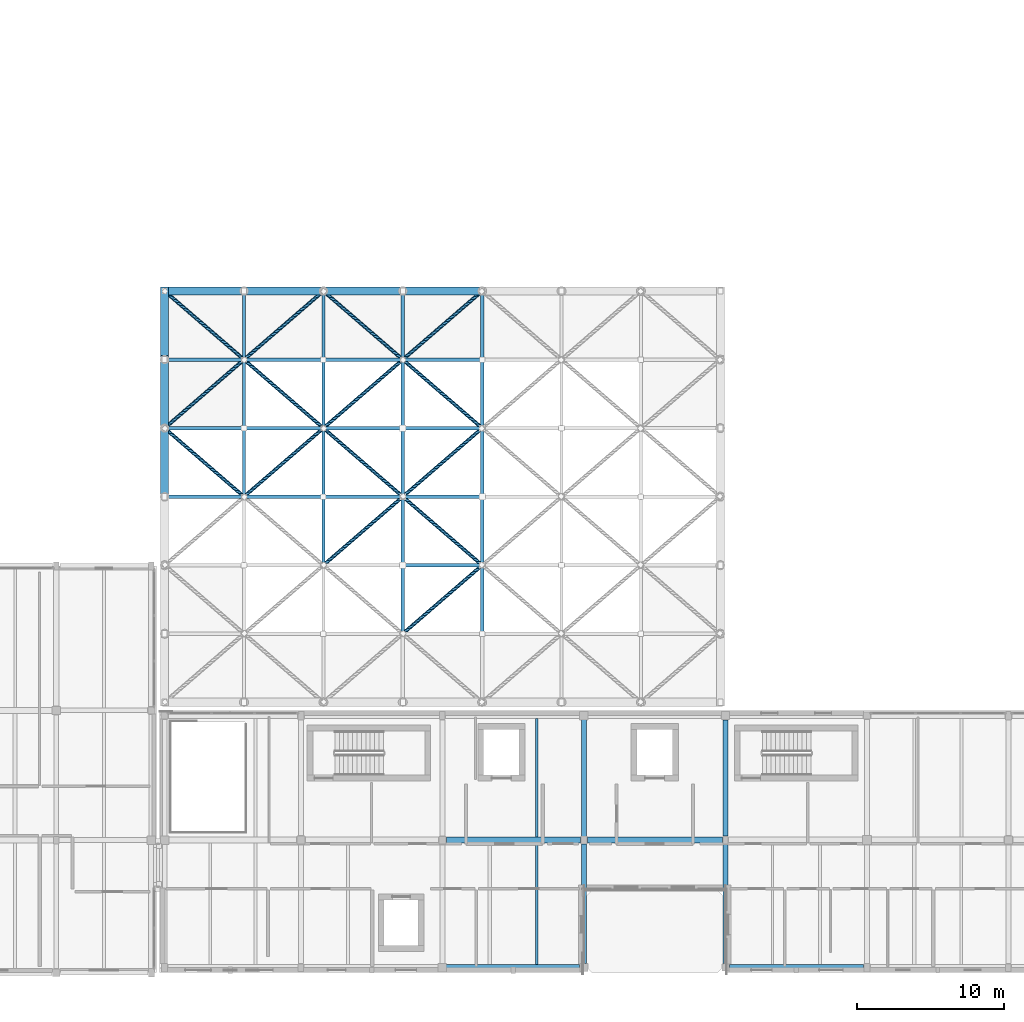
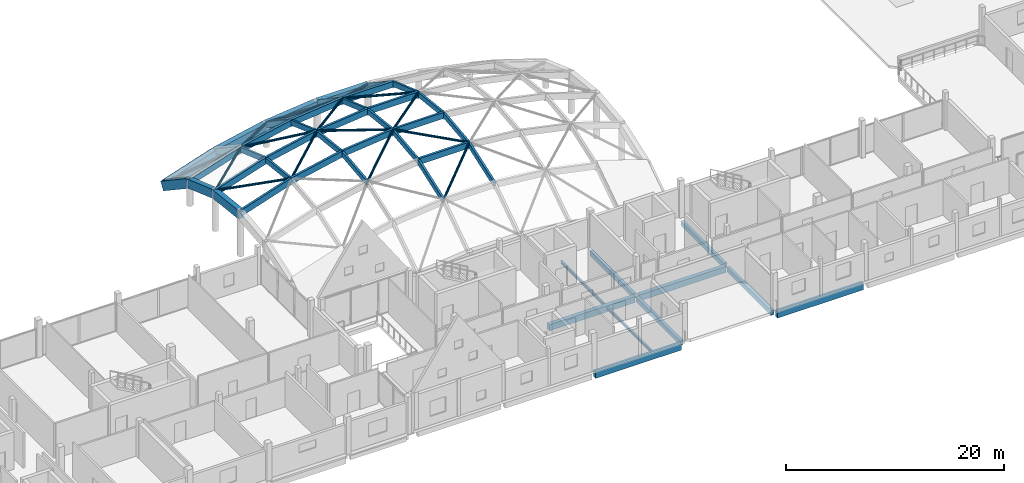
# One storey, part 9 of 41: 45 members, 17 beams.
"""IFC4 building model written with IfcOpenShell, lengths in metres."""

import ifcopenshell
import ifcopenshell.guid

model = None  # the IFC model being written
_history = None  # IfcOwnerHistory: only IFC2X3 demands one
_inside = {}  # id of a spatial element -> (the spatial element, [elements in it])
_under = {}  # id of a project, library or spatial element -> (it, [spatial elements below it])
_declared = {}  # id of a project -> (the project, [libraries it declares])
_typed = {}  # id of a type object -> (the type object, [elements of that type])
_made_of = {}  # id of a material, layer set ... -> (it, [elements and type objects made of it])


def new_model(schema):
    """Start an empty IFC model of exactly this schema.

    Asked for "IFC4X3", IfcOpenShell would pick the latest addendum, in which some entities
    have other attributes; the version numbers below select the first issue.
    IFC2X3 requires an IfcOwnerHistory on every rooted entity: one is made here for all.
    """
    global model, _history
    if schema == "IFC4X3":
        model = ifcopenshell.file(schema_version=(4, 3, 0, 0))
    else:
        model = ifcopenshell.file(schema=schema)
    _inside.clear()
    _under.clear()
    _declared.clear()
    _typed.clear()
    _made_of.clear()
    _history = None
    if model.schema == "IFC2X3":
        org = make("IfcOrganization", Name="unknown")
        user = make(
            "IfcPersonAndOrganization",
            ThePerson=make("IfcPerson", FamilyName="unknown"),
            TheOrganization=org,
        )
        app = make(
            "IfcApplication",
            ApplicationDeveloper=org,
            Version="unknown",
            ApplicationFullName="unknown",
            ApplicationIdentifier="unknown",
        )
        _history = make(
            "IfcOwnerHistory",
            OwningUser=user,
            OwningApplication=app,
            ChangeAction="ADDED",
            CreationDate=0,
        )
    return model


def make(cls, **values):
    """One entity of the class cls with the attributes given. An attribute that is None is left unset."""
    return model.create_entity(
        cls, **{name: value for name, value in values.items() if value is not None}
    )


def rooted(cls, **values):
    """An entity with a GlobalId (a new one), such as an element, a storey or a relation."""
    return make(cls, GlobalId=ifcopenshell.guid.new(), OwnerHistory=_history, **values)


def si_unit(unit_type, name, prefix=None):
    """IfcSIUnit, for example si_unit("LENGTHUNIT", "METRE", prefix="MILLI")."""
    return make("IfcSIUnit", UnitType=unit_type, Prefix=prefix, Name=name)


def assignment(units):
    """IfcUnitAssignment: the units of a project."""
    return None if units is None else make("IfcUnitAssignment", Units=units)


def point(xyz):
    """IfcCartesianPoint."""
    return None if xyz is None else make("IfcCartesianPoint", Coordinates=xyz)


def direction(xyz):
    """IfcDirection."""
    return None if xyz is None else make("IfcDirection", DirectionRatios=xyz)


def frame(location, z_axis=None, x_axis=None):
    """IfcAxis2Placement3D, a coordinate frame: its origin and axes. An axis left out is left unset."""
    return make(
        "IfcAxis2Placement3D",
        Location=point(location),
        Axis=direction(z_axis),
        RefDirection=direction(x_axis),
    )


def frame_2d(location, x_axis=None):
    """IfcAxis2Placement2D, a coordinate frame in the plane: its origin and x axis."""
    return make(
        "IfcAxis2Placement2D", Location=point(location), RefDirection=direction(x_axis)
    )


def origin():
    """The frame at (0, 0, 0) with its axes left unset."""
    return frame((0.0, 0.0, 0.0))


def origin_2d():
    """The frame at (0, 0) in the plane with its x axis left unset."""
    return frame_2d((0.0, 0.0))


def place(relative_to, where):
    """IfcLocalPlacement: puts the frame where relative to a parent placement (None: the world)."""
    return make(
        "IfcLocalPlacement", PlacementRelTo=relative_to, RelativePlacement=where
    )


def context(
    kind, dimensions, precision=None, world=None, true_north=None, identifier=None
):
    """IfcGeometricRepresentationContext, for example the 3D "Model" context."""
    return make(
        "IfcGeometricRepresentationContext",
        ContextIdentifier=identifier,
        ContextType=kind,
        CoordinateSpaceDimension=dimensions,
        Precision=precision,
        WorldCoordinateSystem=world,
        TrueNorth=true_north,
    )


def subcontext(parent, identifier, kind, view, scale=None):
    """IfcGeometricRepresentationSubContext, for example "Body" below "Model"."""
    return make(
        "IfcGeometricRepresentationSubContext",
        ContextIdentifier=identifier,
        ContextType=kind,
        ParentContext=parent,
        TargetScale=scale,
        TargetView=view,
    )


def project(units=None, contexts=None):
    """IfcProject with its units and contexts."""
    return rooted(
        "IfcProject",
        Name="project",
        RepresentationContexts=contexts,
        UnitsInContext=assignment(units),
    )


def spatial(cls, under=None, at=None, **own):
    """A site, building, storey or space (cls), placed at a placement, below another one or the project."""
    s = rooted(cls, ObjectPlacement=at, **own)
    if under is not None:
        _under.setdefault(under.id(), (under, []))[1].append(s)
    return s


def profile(cls, at=None, kind="AREA", **sizes):
    """A parametric profile (cls). Its sizes go by their IFC names, for example OverallWidth=200.0."""
    return make(cls, ProfileType=kind, Position=at, **sizes)


def rectangle(**sizes):
    """IfcRectangleProfileDef."""
    return profile("IfcRectangleProfileDef", **sizes)


def hollow_circle(**sizes):
    """IfcCircleHollowProfileDef."""
    return profile("IfcCircleHollowProfileDef", **sizes)


def i_section(**sizes):
    """IfcIShapeProfileDef."""
    return profile("IfcIShapeProfileDef", **sizes)


def extrude(swept, where, along, depth):
    """IfcExtrudedAreaSolid: the profile swept, set in the frame where, extruded along a direction by depth."""
    return make(
        "IfcExtrudedAreaSolid",
        SweptArea=swept,
        Position=where,
        ExtrudedDirection=direction(along),
        Depth=depth,
    )


def shape(context_of_items, identifier, shape_type, items):
    """IfcShapeRepresentation: the items that make up one representation, for example the "Body"."""
    return make(
        "IfcShapeRepresentation",
        ContextOfItems=context_of_items,
        RepresentationIdentifier=identifier,
        RepresentationType=shape_type,
        Items=items,
    )


def material(Name=None, Category=None):
    """IfcMaterial."""
    return make("IfcMaterial", Name=Name, Category=Category)


def material_profile(
    of_material, cross_section, Name=None, Category=None, Priority=None
):
    """IfcMaterialProfile: a cross section and its material."""
    return make(
        "IfcMaterialProfile",
        Name=Name,
        Material=of_material,
        Profile=cross_section,
        Priority=Priority,
        Category=Category,
    )


def profile_set(profiles, Name=None, composite=None):
    """IfcMaterialProfileSet."""
    return make(
        "IfcMaterialProfileSet",
        Name=Name,
        MaterialProfiles=profiles,
        CompositeProfile=composite,
    )


def made_of(thing, what):
    """Note that an element or type object is made of a material, layer set ...; save() writes the relation."""
    if what is not None:
        _made_of.setdefault(what.id(), (what, []))[1].append(thing)
    return thing


def type_object(cls, material=None, **own):
    """A type object (cls), such as IfcWallType, which elements share."""
    return made_of(rooted(cls, **own), material)


def element(
    cls,
    number,
    at=None,
    inside=None,
    cuts=None,
    type_object=None,
    material=None,
    context=None,
    identifier="Body",
    shape_type=None,
    held_by="IfcProductDefinitionShape",
    body=None,
    shapes=None,
    **own,
):
    """One element of the class cls, such as IfcWall. Its Tag is "e" and its number.

    at: its placement. inside: the storey or other place that contains it. cuts: it is an
    opening in that element (IfcRelVoidsElement). A single representation is given by context,
    identifier, shape_type and body (its items); several are given by shapes. held_by: the class
    of the entity that holds the representations. save() writes the other relations.
    """
    e = rooted(cls, Tag="e%d" % number, ObjectPlacement=at, **own)
    if body is not None:
        shapes = [shape(context, identifier, shape_type, body)]
    if shapes is not None:
        e.Representation = make(held_by, Representations=shapes)
    if inside is not None:
        _inside.setdefault(inside.id(), (inside, []))[1].append(e)
    if cuts is not None:
        rooted(
            "IfcRelVoidsElement", RelatingBuildingElement=cuts, RelatedOpeningElement=e
        )
    if type_object is not None:
        _typed.setdefault(type_object.id(), (type_object, []))[1].append(e)
    return made_of(e, material)


def aggregate(whole, parts):
    """IfcRelAggregates: a whole, such as a stair, and the parts it consists of."""
    return rooted("IfcRelAggregates", RelatingObject=whole, RelatedObjects=parts)


def save(model, path):
    """Write the relations noted so far, then the file.

    IfcRelAggregates (storeys below a building ...), IfcRelContainedInSpatialStructure (elements
    in a storey), IfcRelDefinesByType, IfcRelAssociatesMaterial and IfcRelDeclares: one each for
    every whole, place, type object, material and project.
    """
    for whole, parts in _under.values():
        aggregate(whole, parts)
    for where, things in _inside.values():
        rooted(
            "IfcRelContainedInSpatialStructure",
            RelatedElements=things,
            RelatingStructure=where,
        )
    for kind, things in _typed.values():
        rooted("IfcRelDefinesByType", RelatedObjects=things, RelatingType=kind)
    for what, things in _made_of.values():
        rooted("IfcRelAssociatesMaterial", RelatedObjects=things, RelatingMaterial=what)
    for by, libraries in _declared.values():
        rooted("IfcRelDeclares", RelatingContext=by, RelatedDefinitions=libraries)
    model.write(path)


model = new_model("IFC4")

# Units and contexts
model_context = context("Model", 3, precision=1e-05, world=origin(), true_north=direction((0.0, 1.0)))
body_context = subcontext(model_context, "Body", "Model", "MODEL_VIEW")
ifc_project = project(units=[si_unit("LENGTHUNIT", "METRE"), si_unit("AREAUNIT", "SQUARE_METRE"), si_unit("VOLUMEUNIT", "CUBIC_METRE"), si_unit("PLANEANGLEUNIT", "RADIAN"), si_unit("MASSUNIT", "GRAM", prefix="KILO")], contexts=[model_context])

# Site, building, storey
site_placement = place(None, origin())
site = spatial("IfcSite", under=ifc_project, at=site_placement, CompositionType="ELEMENT")
building_placement = place(site_placement, origin())
building = spatial("IfcBuilding", under=site, at=building_placement, Name="Birchvale Park Specialist Clinic", CompositionType="ELEMENT")
storey_placement = place(building_placement, frame((0.0, 0.0, 9.60009765625)))
storey = spatial("IfcBuildingStorey", under=building, at=storey_placement, Name="L02", CompositionType="ELEMENT", Elevation=9.60009765625)

# Beams
ifc_material_1 = material(Name="Concrete C40/50", Category="concrete")
ifc_material_profile_1 = material_profile(ifc_material_1, rectangle(XDim=0.419921875, YDim=0.719970703125, at=origin_2d()), Name="RCB-420x720")
ifc_profile_set_1 = profile_set([ifc_material_profile_1], Name="Concrete C40/50")
beam_type_1 = type_object("IfcBeamType", Name="BM-EXT-BG3", PredefinedType="BEAM", material=ifc_profile_set_1)
beam_1_placement = place(storey_placement, frame((71.18505859375, 17.14990234375, -0.64013671875), z_axis=(1.0, 0.0, 0.0), x_axis=(0.0, 1.0, 0.0)))
element("IfcBeam", 1, at=beam_1_placement, inside=storey, type_object=beam_type_1, Name="V4 L02 X girder 3", PredefinedType="BEAM", context=body_context, shape_type="SweptSolid", body=[
    extrude(rectangle(XDim=0.419921875, YDim=0.719970703125, at=origin_2d()), origin(), (0.0, 0.0, 1.0), 9.125),
])
beam_2_placement = place(storey_placement, frame((90.465087890625, 17.14990234375, -0.64013671875), z_axis=(1.0, 0.0, 0.0), x_axis=(0.0, 1.0, 0.0)))
element("IfcBeam", 2, at=beam_2_placement, inside=storey, type_object=beam_type_1, Name="V4 L02 X girder 4", PredefinedType="BEAM", context=body_context, shape_type="SweptSolid", body=[
    extrude(rectangle(XDim=0.419921875, YDim=0.719970703125, at=origin_2d()), origin(), (0.0, 0.0, 1.0), 9.094970703125),
])
ifc_material_profile_2 = material_profile(ifc_material_1, rectangle(XDim=0.320068359375, YDim=0.5400390625, at=origin_2d()), Name="RCB-320x540")
ifc_profile_set_2 = profile_set([ifc_material_profile_2], Name="Concrete C40/50")
beam_type_2 = type_object("IfcBeamType", Name="BM-EXT-BG7", PredefinedType="BEAM", material=ifc_profile_set_2)
beam_3_placement = place(storey_placement, frame((80.60009765625, 17.43994140625, -0.580078125), z_axis=(0.0, 1.0, 0.0), x_axis=(-1.0, 0.0, 0.0)))
element("IfcBeam", 3, at=beam_3_placement, inside=storey, type_object=beam_type_2, Name="V4 L02 Y girder 27", PredefinedType="BEAM", context=body_context, shape_type="SweptSolid", body=[
    extrude(rectangle(XDim=0.320068359375, YDim=0.5400390625, at=origin_2d()), origin(), (0.0, 0.0, 1.0), 8.110107421875),
])
beam_4_placement = place(storey_placement, frame((80.60009765625, 26.050048828125, -0.550048828125), z_axis=(0.0, 1.0, 0.0), x_axis=(-1.0, 0.0, 0.0)))
element("IfcBeam", 4, at=beam_4_placement, inside=storey, type_object=beam_type_2, Name="V4 L02 Y girder 28", PredefinedType="BEAM", context=body_context, shape_type="SweptSolid", body=[
    extrude(rectangle(XDim=0.320068359375, YDim=0.5400390625, at=origin_2d()), origin(), (0.0, 0.0, 1.0), 7.93994140625),
])
beam_5_placement = place(storey_placement, frame((90.199951171875, 17.4150390625, -0.580078125), z_axis=(0.0, 1.0, 0.0), x_axis=(-1.0, 0.0, 0.0)))
element("IfcBeam", 5, at=beam_5_placement, inside=storey, type_object=beam_type_2, Name="V4 L02 Y girder 29", PredefinedType="BEAM", context=body_context, shape_type="SweptSolid", body=[
    extrude(rectangle(XDim=0.320068359375, YDim=0.5400390625, at=origin_2d()), origin(), (0.0, 0.0, 1.0), 8.10986328125),
])
beam_6_placement = place(storey_placement, frame((90.199951171875, 26.074951171875, -0.550048828125), z_axis=(0.0, 1.0, 0.0), x_axis=(-1.0, 0.0, 0.0)))
element("IfcBeam", 6, at=beam_6_placement, inside=storey, type_object=beam_type_2, Name="V4 L02 Y girder 30", PredefinedType="BEAM", context=body_context, shape_type="SweptSolid", body=[
    extrude(rectangle(XDim=0.320068359375, YDim=0.5400390625, at=origin_2d()), origin(), (0.0, 0.0, 1.0), 7.885009765625),
])
ifc_material_profile_3 = material_profile(ifc_material_1, rectangle(XDim=0.550048828125, YDim=0.93994140625, at=origin_2d()), Name="RCB-550x940")
ifc_profile_set_3 = profile_set([ifc_material_profile_3], Name="Concrete C40/50")
beam_type_3 = type_object("IfcBeamType", Name="BM-EXT-RB1", PredefinedType="BEAM", material=ifc_profile_set_3)
beam_7_placement = place(storey_placement, frame((52.14990234375, 63.050048828125, -0.650146484375), z_axis=(0.950354284012, 0.0, 0.311169945304), x_axis=(0.0, 1.0, 0.0)))
element("IfcBeam", 7, at=beam_7_placement, inside=storey, type_object=beam_type_3, Name="V1 gridshell perimeter ring beam 8", PredefinedType="BEAM", context=body_context, shape_type="SweptSolid", body=[
    extrude(rectangle(XDim=0.550048828125, YDim=0.93994140625, at=origin_2d()), origin(), (0.0, 0.0, 1.0), 5.6669921875),
])
beam_8_placement = place(storey_placement, frame((57.53564453125, 63.050048828125, 1.11328125), z_axis=(0.978246670793, 0.0, 0.207445055574), x_axis=(0.0, 1.0, 0.0)))
element("IfcBeam", 8, at=beam_8_placement, inside=storey, type_object=beam_type_3, Name="V1 gridshell perimeter ring beam 9", PredefinedType="BEAM", context=body_context, shape_type="SweptSolid", body=[
    extrude(rectangle(XDim=0.550048828125, YDim=0.93994140625, at=origin_2d()), origin(), (0.0, 0.0, 1.0), 5.505615234375),
])
beam_9_placement = place(storey_placement, frame((62.92138671875, 63.050048828125, 2.25537109375), z_axis=(0.994608725176, 0.0, 0.103699005798), x_axis=(0.0, 1.0, 0.0)))
element("IfcBeam", 9, at=beam_9_placement, inside=storey, type_object=beam_type_3, Name="V1 gridshell perimeter ring beam 10", PredefinedType="BEAM", context=body_context, shape_type="SweptSolid", body=[
    extrude(rectangle(XDim=0.550048828125, YDim=0.93994140625, at=origin_2d()), origin(), (0.0, 0.0, 1.0), 5.4150390625),
])
beam_10_placement = place(storey_placement, frame((68.30712890625, 63.050048828125, 2.81689453125), z_axis=(1.0, 0.0, 0.0), x_axis=(0.0, 1.0, 0.0)))
element("IfcBeam", 10, at=beam_10_placement, inside=storey, type_object=beam_type_3, Name="V1 gridshell perimeter ring beam 11", PredefinedType="BEAM", context=body_context, shape_type="SweptSolid", body=[
    extrude(rectangle(XDim=0.550048828125, YDim=0.93994140625, at=origin_2d()), origin(), (0.0, 0.0, 1.0), 5.3857421875),
])
beam_11_placement = place(storey_placement, frame((52.14990234375, 49.10009765625, 4.613037109375), z_axis=(0.0, 0.993844855483, -0.110780879355), x_axis=(-1.0, 0.0, 0.0)))
element("IfcBeam", 11, at=beam_11_placement, inside=storey, type_object=beam_type_3, Name="V1 gridshell perimeter ring beam 18", PredefinedType="BEAM", context=body_context, shape_type="SweptSolid", body=[
    extrude(rectangle(XDim=0.550048828125, YDim=0.93994140625, at=origin_2d()), origin(), (0.0, 0.0, 1.0), 4.6787109375),
])
beam_12_placement = place(storey_placement, frame((52.14990234375, 53.75, 4.0947265625), z_axis=(0.0, 0.943085366196, -0.33255073608), x_axis=(-1.0, 0.0, 0.0)))
element("IfcBeam", 12, at=beam_12_placement, inside=storey, type_object=beam_type_3, Name="V1 gridshell perimeter ring beam 19", PredefinedType="BEAM", context=body_context, shape_type="SweptSolid", body=[
    extrude(rectangle(XDim=0.550048828125, YDim=0.93994140625, at=origin_2d()), origin(), (0.0, 0.0, 1.0), 4.930419921875),
])
beam_13_placement = place(storey_placement, frame((52.14990234375, 58.39990234375, 2.455078125), z_axis=(0.0, 0.831626868314, -0.555334810631), x_axis=(-1.0, 0.0, 0.0)))
element("IfcBeam", 13, at=beam_13_placement, inside=storey, type_object=beam_type_3, Name="V1 gridshell perimeter ring beam 20", PredefinedType="BEAM", context=body_context, shape_type="SweptSolid", body=[
    extrude(rectangle(XDim=0.550048828125, YDim=0.93994140625, at=origin_2d()), origin(), (0.0, 0.0, 1.0), 5.591552734375),
])
ifc_material_profile_4 = material_profile(ifc_material_1, rectangle(XDim=0.419921875, YDim=0.679931640625, at=origin_2d()), Name="RCB-420x680")
ifc_profile_set_4 = profile_set([ifc_material_profile_4], Name="Concrete C40/50")
beam_type_4 = type_object("IfcBeamType", Name="BM-INT-BG3", PredefinedType="BEAM", material=ifc_profile_set_4)
beam_14_placement = place(storey_placement, frame((71.27490234375, 25.800048828125, -0.6201171875), z_axis=(1.0, 0.0, 0.0), x_axis=(0.0, 1.0, 0.0)))
element("IfcBeam", 14, at=beam_14_placement, inside=storey, type_object=beam_type_4, Name="V4 L02 X girder 9", PredefinedType="BEAM", context=body_context, shape_type="SweptSolid", body=[
    extrude(rectangle(XDim=0.419921875, YDim=0.679931640625, at=origin_2d()), origin(), (0.0, 0.0, 1.0), 9.0751953125),
])
beam_15_placement = place(storey_placement, frame((80.85009765625, 25.800048828125, -0.6201171875), z_axis=(1.0, 0.0, 0.0), x_axis=(0.0, 1.0, 0.0)))
element("IfcBeam", 15, at=beam_15_placement, inside=storey, type_object=beam_type_4, Name="V4 L02 X girder 10", PredefinedType="BEAM", context=body_context, shape_type="SweptSolid", body=[
    extrude(rectangle(XDim=0.419921875, YDim=0.679931640625, at=origin_2d()), origin(), (0.0, 0.0, 1.0), 9.14990234375),
])

# Members
ifc_material_2 = material(Name="Steel EN 10210 S355", Category="steel")
ifc_material_profile_5 = material_profile(ifc_material_2, hollow_circle(Radius=0.122314453125, WallThickness=0.010009765625, at=origin_2d()), Name="CHS244.5X10")
ifc_profile_set_5 = profile_set([ifc_material_profile_5], Name="Steel EN 10210 S355")
member_type_1 = type_object("IfcMemberType", Name="MEM-BR1", PredefinedType="BRACE", material=ifc_profile_set_5)
member_1_placement = place(storey_placement, frame((57.50341796875, 49.1279296875, 6.680419921875), z_axis=(-0.720776611101, 0.622291970226, -0.305342071589), x_axis=(-0.653501412791, -0.756925295838, 0.0)))
element("IfcMember", 16, at=member_1_placement, inside=storey, type_object=member_type_1, Name="V1 gridshell tubular steel diagonal 4", PredefinedType="BRACE", context=body_context, shape_type="SweptSolid", body=[
    extrude(hollow_circle(Radius=0.122314453125, WallThickness=0.010009765625, at=origin_2d()), origin(), (0.0, 0.0, 1.0), 7.38232421875),
])
member_2_placement = place(storey_placement, frame((52.18408203125, 53.779296875, 4.413330078125), z_axis=(0.756792378331, 0.653424428029, 0.017372764757), x_axis=(-0.653523056334, 0.756906609061, 0.0)))
element("IfcMember", 17, at=member_2_placement, inside=storey, type_object=member_type_1, Name="V1 gridshell tubular steel diagonal 5", PredefinedType="BRACE", context=body_context, shape_type="SweptSolid", body=[
    extrude(hollow_circle(Radius=0.122314453125, WallThickness=0.010009765625, at=origin_2d()), origin(), (0.0, 0.0, 1.0), 7.026611328125),
])
member_3_placement = place(storey_placement, frame((57.507568359375, 58.42431640625, 4.510986328125), z_axis=(-0.62468673263, 0.539325279426, -0.564707649185), x_axis=(-0.653497087774, -0.756929029877, 0.0)))
element("IfcMember", 18, at=member_3_placement, inside=storey, type_object=member_type_1, Name="V1 gridshell tubular steel diagonal 6", PredefinedType="BRACE", context=body_context, shape_type="SweptSolid", body=[
    extrude(hollow_circle(Radius=0.122314453125, WallThickness=0.010009765625, at=origin_2d()), origin(), (0.0, 0.0, 1.0), 8.53173828125),
])
member_4_placement = place(storey_placement, frame((57.569580078125, 49.12939453125, 6.697998046875), z_axis=(0.754028996061, 0.651008598839, 0.087338864983), x_axis=(-0.653505866941, 0.756921450266, 0.0)))
element("IfcMember", 19, at=member_4_placement, inside=storey, type_object=member_type_1, Name="V1 gridshell tubular steel diagonal 10", PredefinedType="BRACE", context=body_context, shape_type="SweptSolid", body=[
    extrude(hollow_circle(Radius=0.122314453125, WallThickness=0.010009765625, at=origin_2d()), origin(), (0.0, 0.0, 1.0), 7.052490234375),
])
member_5_placement = place(storey_placement, frame((62.8896484375, 53.77734375, 7.301513671875), z_axis=(-0.704961825473, 0.608660159589, -0.364090146468), x_axis=(-0.65351500313, -0.756913562227, 0.0)))
element("IfcMember", 20, at=member_5_placement, inside=storey, type_object=member_type_1, Name="V1 gridshell tubular steel diagonal 11", PredefinedType="BRACE", context=body_context, shape_type="SweptSolid", body=[
    extrude(hollow_circle(Radius=0.122314453125, WallThickness=0.010009765625, at=origin_2d()), origin(), (0.0, 0.0, 1.0), 7.5498046875),
])
member_6_placement = place(storey_placement, frame((57.568603515625, 58.42822265625, 4.5244140625), z_axis=(0.729639895073, 0.629992869799, -0.265959785534), x_axis=(-0.653530336987, 0.756900322789, 0.0)))
element("IfcMember", 21, at=member_6_placement, inside=storey, type_object=member_type_1, Name="V1 gridshell tubular steel diagonal 12", PredefinedType="BRACE", context=body_context, shape_type="SweptSolid", body=[
    extrude(hollow_circle(Radius=0.122314453125, WallThickness=0.010009765625, at=origin_2d()), origin(), (0.0, 0.0, 1.0), 7.291259765625),
])
for number, where, z_axis, x_axis, name in (
    (22, (62.955078125, 44.47900390625, 7.32470703125), (0.748346780072, 0.646112111623, 0.150054110143), (-0.653511306653, 0.756916753729, 0.0), "V1 gridshell tubular steel diagonal 15"),
    (23, (68.2734375, 49.129150390625, 8.39111328125), (-0.748346780072, 0.646112111623, -0.150054110143), (-0.653511306653, -0.756916753729, 0.0), "V1 gridshell tubular steel diagonal 16"),
):
    element("IfcMember", number, at=place(storey_placement, frame(where, z_axis=z_axis, x_axis=x_axis)), inside=storey, type_object=member_type_1, Name=name, PredefinedType="BRACE", context=body_context, shape_type="SweptSolid", body=[
        extrude(hollow_circle(Radius=0.122314453125, WallThickness=0.010009765625, at=origin_2d()), origin(), (0.0, 0.0, 1.0), 7.106689453125),
    ])
member_7_placement = place(storey_placement, frame((62.955078125, 53.779052734375, 7.311279296875), z_axis=(0.748373763023, 0.646135408324, -0.149819040605), x_axis=(-0.653511306654, 0.756916753729, 0.0)))
element("IfcMember", 24, at=member_7_placement, inside=storey, type_object=member_type_1, Name="V1 gridshell tubular steel diagonal 17", PredefinedType="BRACE", context=body_context, shape_type="SweptSolid", body=[
    extrude(hollow_circle(Radius=0.122314453125, WallThickness=0.010009765625, at=origin_2d()), origin(), (0.0, 0.0, 1.0), 7.1064453125),
])
member_8_placement = place(storey_placement, frame((68.27685546875, 58.426025390625, 6.21923828125), z_axis=(-0.672822951485, 0.580931351794, -0.458069907829), x_axis=(-0.653527712253, -0.756902589054, 0.0)))
element("IfcMember", 25, at=member_8_placement, inside=storey, type_object=member_type_1, Name="V1 gridshell tubular steel diagonal 18", PredefinedType="BRACE", context=body_context, shape_type="SweptSolid", body=[
    extrude(hollow_circle(Radius=0.122314453125, WallThickness=0.010009765625, at=origin_2d()), origin(), (0.0, 0.0, 1.0), 7.914794921875),
])
member_9_placement = place(storey_placement, frame((68.34033203125, 39.82861328125, 6.25), z_axis=(0.737578966974, 0.636833831775, 0.224543844682), x_axis=(-0.653522182779, 0.756907363299, 0.0)))
element("IfcMember", 26, at=member_9_placement, inside=storey, type_object=member_type_1, Name="V1 gridshell tubular steel diagonal 20", PredefinedType="BRACE", context=body_context, shape_type="SweptSolid", body=[
    extrude(hollow_circle(Radius=0.122314453125, WallThickness=0.010009765625, at=origin_2d()), origin(), (0.0, 0.0, 1.0), 7.2119140625),
])
member_10_placement = place(storey_placement, frame((73.658935546875, 44.479248046875, 7.8828125), z_axis=(-0.754904601064, 0.6517992302, 0.072641632716), x_axis=(-0.653525775503, -0.756904261286, 0.0)))
element("IfcMember", 27, at=member_10_placement, inside=storey, type_object=member_type_1, Name="V1 gridshell tubular steel diagonal 21", PredefinedType="BRACE", context=body_context, shape_type="SweptSolid", body=[
    extrude(hollow_circle(Radius=0.122314453125, WallThickness=0.010009765625, at=origin_2d()), origin(), (0.0, 0.0, 1.0), 7.04443359375),
])
member_11_placement = place(storey_placement, frame((68.341064453125, 49.12939453125, 8.39453125), z_axis=(0.754921654166, 0.651779296128, -0.072643273672), x_axis=(-0.653505866941, 0.756921450266, 0.0)))
element("IfcMember", 28, at=member_11_placement, inside=storey, type_object=member_type_1, Name="V1 gridshell tubular steel diagonal 22", PredefinedType="BRACE", context=body_context, shape_type="SweptSolid", body=[
    extrude(hollow_circle(Radius=0.122314453125, WallThickness=0.010009765625, at=origin_2d()), origin(), (0.0, 0.0, 1.0), 7.044189453125),
])
member_12_placement = place(storey_placement, frame((73.65966796875, 53.77880859375, 7.869384765625), z_axis=(-0.737594868116, 0.636813707735, -0.224548685525), x_axis=(-0.653502279455, -0.756924547592, 0.0)))
element("IfcMember", 29, at=member_12_placement, inside=storey, type_object=member_type_1, Name="V1 gridshell tubular steel diagonal 23", PredefinedType="BRACE", context=body_context, shape_type="SweptSolid", body=[
    extrude(hollow_circle(Radius=0.122314453125, WallThickness=0.010009765625, at=origin_2d()), origin(), (0.0, 0.0, 1.0), 7.211669921875),
])
member_13_placement = place(storey_placement, frame((68.33837890625, 58.427001953125, 6.221923828125), z_axis=(0.693730233305, 0.598948433405, -0.3999989219), x_axis=(-0.653505981992, 0.756921350935, 0.0)))
element("IfcMember", 30, at=member_13_placement, inside=storey, type_object=member_type_1, Name="V1 gridshell tubular steel diagonal 24", PredefinedType="BRACE", context=body_context, shape_type="SweptSolid", body=[
    extrude(hollow_circle(Radius=0.122314453125, WallThickness=0.010009765625, at=origin_2d()), origin(), (0.0, 0.0, 1.0), 7.67333984375),
])
ifc_material_3 = material(Name="Glulam GL28h", Category="wood")
ifc_material_profile_6 = material_profile(ifc_material_3, rectangle(XDim=0.239990234375, YDim=0.679931640625, at=origin_2d()), Name="GL-240x680")
ifc_profile_set_6 = profile_set([ifc_material_profile_6], Name="Glulam GL28h")
member_type_2 = type_object("IfcMemberType", Name="MEM-GC1", PredefinedType="CHORD", material=ifc_profile_set_6)
member_14_placement = place(storey_placement, frame((68.30712890625, 44.449951171875, 7.666748046875), z_axis=(1.0, 0.0, 0.0), x_axis=(0.0, 1.0, 0.0)))
element("IfcMember", 31, at=member_14_placement, inside=storey, type_object=member_type_2, Name="V1 gridshell longitudinal glulam rib 11", PredefinedType="CHORD", context=body_context, shape_type="SweptSolid", body=[
    extrude(rectangle(XDim=0.239990234375, YDim=0.679931640625, at=origin_2d()), origin(), (0.0, 0.0, 1.0), 5.3857421875),
])
member_15_placement = place(storey_placement, frame((52.14990234375, 49.10009765625, 4.718017578125), z_axis=(0.950354284012, 0.0, 0.311169945304), x_axis=(0.0, 1.0, 0.0)))
element("IfcMember", 32, at=member_15_placement, inside=storey, type_object=member_type_2, Name="V1 gridshell longitudinal glulam rib 15", PredefinedType="CHORD", context=body_context, shape_type="SweptSolid", body=[
    extrude(rectangle(XDim=0.239990234375, YDim=0.679931640625, at=origin_2d()), origin(), (0.0, 0.0, 1.0), 5.6669921875),
])
member_16_placement = place(storey_placement, frame((57.53564453125, 49.10009765625, 6.4814453125), z_axis=(0.978246670793, 0.0, 0.207445055574), x_axis=(0.0, 1.0, 0.0)))
element("IfcMember", 33, at=member_16_placement, inside=storey, type_object=member_type_2, Name="V1 gridshell longitudinal glulam rib 16", PredefinedType="CHORD", context=body_context, shape_type="SweptSolid", body=[
    extrude(rectangle(XDim=0.239990234375, YDim=0.679931640625, at=origin_2d()), origin(), (0.0, 0.0, 1.0), 5.505615234375),
])
member_17_placement = place(storey_placement, frame((62.92138671875, 49.10009765625, 7.62353515625), z_axis=(0.994608725176, 0.0, 0.103699005798), x_axis=(0.0, 1.0, 0.0)))
element("IfcMember", 34, at=member_17_placement, inside=storey, type_object=member_type_2, Name="V1 gridshell longitudinal glulam rib 17", PredefinedType="CHORD", context=body_context, shape_type="SweptSolid", body=[
    extrude(rectangle(XDim=0.239990234375, YDim=0.679931640625, at=origin_2d()), origin(), (0.0, 0.0, 1.0), 5.4150390625),
])
member_18_placement = place(storey_placement, frame((68.30712890625, 49.10009765625, 8.18505859375), z_axis=(1.0, 0.0, 0.0), x_axis=(0.0, 1.0, 0.0)))
element("IfcMember", 35, at=member_18_placement, inside=storey, type_object=member_type_2, Name="V1 gridshell longitudinal glulam rib 18", PredefinedType="CHORD", context=body_context, shape_type="SweptSolid", body=[
    extrude(rectangle(XDim=0.239990234375, YDim=0.679931640625, at=origin_2d()), origin(), (0.0, 0.0, 1.0), 5.3857421875),
])
member_19_placement = place(storey_placement, frame((52.14990234375, 53.75, 4.19970703125), z_axis=(0.950354284012, 0.0, 0.311169945304), x_axis=(0.0, 1.0, 0.0)))
element("IfcMember", 36, at=member_19_placement, inside=storey, type_object=member_type_2, Name="V1 gridshell longitudinal glulam rib 22", PredefinedType="CHORD", context=body_context, shape_type="SweptSolid", body=[
    extrude(rectangle(XDim=0.239990234375, YDim=0.679931640625, at=origin_2d()), origin(), (0.0, 0.0, 1.0), 5.6669921875),
])
member_20_placement = place(storey_placement, frame((57.53564453125, 53.75, 5.963134765625), z_axis=(0.978246670793, 0.0, 0.207445055574), x_axis=(0.0, 1.0, 0.0)))
element("IfcMember", 37, at=member_20_placement, inside=storey, type_object=member_type_2, Name="V1 gridshell longitudinal glulam rib 23", PredefinedType="CHORD", context=body_context, shape_type="SweptSolid", body=[
    extrude(rectangle(XDim=0.239990234375, YDim=0.679931640625, at=origin_2d()), origin(), (0.0, 0.0, 1.0), 5.505615234375),
])
member_21_placement = place(storey_placement, frame((62.92138671875, 53.75, 7.105224609375), z_axis=(0.994608725176, 0.0, 0.103699005798), x_axis=(0.0, 1.0, 0.0)))
element("IfcMember", 38, at=member_21_placement, inside=storey, type_object=member_type_2, Name="V1 gridshell longitudinal glulam rib 24", PredefinedType="CHORD", context=body_context, shape_type="SweptSolid", body=[
    extrude(rectangle(XDim=0.239990234375, YDim=0.679931640625, at=origin_2d()), origin(), (0.0, 0.0, 1.0), 5.4150390625),
])
member_22_placement = place(storey_placement, frame((68.30712890625, 53.75, 7.666748046875), z_axis=(1.0, 0.0, 0.0), x_axis=(0.0, 1.0, 0.0)))
element("IfcMember", 39, at=member_22_placement, inside=storey, type_object=member_type_2, Name="V1 gridshell longitudinal glulam rib 25", PredefinedType="CHORD", context=body_context, shape_type="SweptSolid", body=[
    extrude(rectangle(XDim=0.239990234375, YDim=0.679931640625, at=origin_2d()), origin(), (0.0, 0.0, 1.0), 5.3857421875),
])
member_23_placement = place(storey_placement, frame((52.14990234375, 58.39990234375, 2.56005859375), z_axis=(0.950354284012, 0.0, 0.311169945304), x_axis=(0.0, 1.0, 0.0)))
element("IfcMember", 40, at=member_23_placement, inside=storey, type_object=member_type_2, Name="V1 gridshell longitudinal glulam rib 29", PredefinedType="CHORD", context=body_context, shape_type="SweptSolid", body=[
    extrude(rectangle(XDim=0.239990234375, YDim=0.679931640625, at=origin_2d()), origin(), (0.0, 0.0, 1.0), 5.6669921875),
])
member_24_placement = place(storey_placement, frame((57.53564453125, 58.39990234375, 4.323486328125), z_axis=(0.978246670793, 0.0, 0.207445055574), x_axis=(0.0, 1.0, 0.0)))
element("IfcMember", 41, at=member_24_placement, inside=storey, type_object=member_type_2, Name="V1 gridshell longitudinal glulam rib 30", PredefinedType="CHORD", context=body_context, shape_type="SweptSolid", body=[
    extrude(rectangle(XDim=0.239990234375, YDim=0.679931640625, at=origin_2d()), origin(), (0.0, 0.0, 1.0), 5.505615234375),
])
member_25_placement = place(storey_placement, frame((62.92138671875, 58.39990234375, 5.465576171875), z_axis=(0.994608725176, 0.0, 0.103699005798), x_axis=(0.0, 1.0, 0.0)))
element("IfcMember", 42, at=member_25_placement, inside=storey, type_object=member_type_2, Name="V1 gridshell longitudinal glulam rib 31", PredefinedType="CHORD", context=body_context, shape_type="SweptSolid", body=[
    extrude(rectangle(XDim=0.239990234375, YDim=0.679931640625, at=origin_2d()), origin(), (0.0, 0.0, 1.0), 5.4150390625),
])
member_26_placement = place(storey_placement, frame((68.30712890625, 58.39990234375, 6.027099609375), z_axis=(1.0, 0.0, 0.0), x_axis=(0.0, 1.0, 0.0)))
element("IfcMember", 43, at=member_26_placement, inside=storey, type_object=member_type_2, Name="V1 gridshell longitudinal glulam rib 32", PredefinedType="CHORD", context=body_context, shape_type="SweptSolid", body=[
    extrude(rectangle(XDim=0.239990234375, YDim=0.679931640625, at=origin_2d()), origin(), (0.0, 0.0, 1.0), 5.3857421875),
])
ifc_material_profile_7 = material_profile(ifc_material_3, rectangle(XDim=0.219970703125, YDim=0.56005859375, at=origin_2d()), Name="GL-220x560")
ifc_profile_set_7 = profile_set([ifc_material_profile_7], Name="Glulam GL28h")
member_type_3 = type_object("IfcMemberType", Name="MEM-GC2", PredefinedType="CHORD", material=ifc_profile_set_7)
member_27_placement = place(storey_placement, frame((57.53564453125, 49.10009765625, 6.4814453125), z_axis=(0.0, 0.993844855483, -0.110780879355), x_axis=(-1.0, 0.0, 0.0)))
element("IfcMember", 44, at=member_27_placement, inside=storey, type_object=member_type_3, Name="V1 gridshell transverse glulam rib 39", PredefinedType="CHORD", context=body_context, shape_type="SweptSolid", body=[
    extrude(rectangle(XDim=0.219970703125, YDim=0.56005859375, at=origin_2d()), origin(), (0.0, 0.0, 1.0), 4.6787109375),
])
member_28_placement = place(storey_placement, frame((57.53564453125, 53.75, 5.963134765625), z_axis=(0.0, 0.943085366196, -0.33255073608), x_axis=(-1.0, 0.0, 0.0)))
element("IfcMember", 45, at=member_28_placement, inside=storey, type_object=member_type_3, Name="V1 gridshell transverse glulam rib 40", PredefinedType="CHORD", context=body_context, shape_type="SweptSolid", body=[
    extrude(rectangle(XDim=0.219970703125, YDim=0.56005859375, at=origin_2d()), origin(), (0.0, 0.0, 1.0), 4.930419921875),
])
member_29_placement = place(storey_placement, frame((57.53564453125, 58.39990234375, 4.323486328125), z_axis=(0.0, 0.831647032656, -0.555304612869), x_axis=(-1.0, 0.0, 0.0)))
element("IfcMember", 46, at=member_29_placement, inside=storey, type_object=member_type_3, Name="V1 gridshell transverse glulam rib 41", PredefinedType="CHORD", context=body_context, shape_type="SweptSolid", body=[
    extrude(rectangle(XDim=0.219970703125, YDim=0.56005859375, at=origin_2d()), origin(), (0.0, 0.0, 1.0), 5.591552734375),
])
member_30_placement = place(storey_placement, frame((62.92138671875, 44.449951171875, 7.105224609375), z_axis=(0.0, 0.993845495823, 0.110775134543), x_axis=(-1.0, 0.0, 0.0)))
element("IfcMember", 47, at=member_30_placement, inside=storey, type_object=member_type_3, Name="V1 gridshell transverse glulam rib 44", PredefinedType="CHORD", context=body_context, shape_type="SweptSolid", body=[
    extrude(rectangle(XDim=0.219970703125, YDim=0.56005859375, at=origin_2d()), origin(), (0.0, 0.0, 1.0), 4.678955078125),
])
member_31_placement = place(storey_placement, frame((62.92138671875, 49.10009765625, 7.62353515625), z_axis=(0.0, 0.993844855483, -0.110780879355), x_axis=(-1.0, 0.0, 0.0)))
element("IfcMember", 48, at=member_31_placement, inside=storey, type_object=member_type_3, Name="V1 gridshell transverse glulam rib 45", PredefinedType="CHORD", context=body_context, shape_type="SweptSolid", body=[
    extrude(rectangle(XDim=0.219970703125, YDim=0.56005859375, at=origin_2d()), origin(), (0.0, 0.0, 1.0), 4.6787109375),
])
member_32_placement = place(storey_placement, frame((62.92138671875, 53.75, 7.105224609375), z_axis=(0.0, 0.943085366196, -0.33255073608), x_axis=(-1.0, 0.0, 0.0)))
element("IfcMember", 49, at=member_32_placement, inside=storey, type_object=member_type_3, Name="V1 gridshell transverse glulam rib 46", PredefinedType="CHORD", context=body_context, shape_type="SweptSolid", body=[
    extrude(rectangle(XDim=0.219970703125, YDim=0.56005859375, at=origin_2d()), origin(), (0.0, 0.0, 1.0), 4.930419921875),
])
member_33_placement = place(storey_placement, frame((62.92138671875, 58.39990234375, 5.465576171875), z_axis=(0.0, 0.831626868314, -0.555334810631), x_axis=(-1.0, 0.0, 0.0)))
element("IfcMember", 50, at=member_33_placement, inside=storey, type_object=member_type_3, Name="V1 gridshell transverse glulam rib 47", PredefinedType="CHORD", context=body_context, shape_type="SweptSolid", body=[
    extrude(rectangle(XDim=0.219970703125, YDim=0.56005859375, at=origin_2d()), origin(), (0.0, 0.0, 1.0), 5.591552734375),
])
member_34_placement = place(storey_placement, frame((68.30712890625, 39.800048828125, 6.027099609375), z_axis=(0.0, 0.943085366196, 0.33255073608), x_axis=(-1.0, 0.0, 0.0)))
element("IfcMember", 51, at=member_34_placement, inside=storey, type_object=member_type_3, Name="V1 gridshell transverse glulam rib 49", PredefinedType="CHORD", context=body_context, shape_type="SweptSolid", body=[
    extrude(rectangle(XDim=0.219970703125, YDim=0.56005859375, at=origin_2d()), origin(), (0.0, 0.0, 1.0), 4.930419921875),
])
member_35_placement = place(storey_placement, frame((68.30712890625, 44.449951171875, 7.666748046875), z_axis=(0.0, 0.993845495823, 0.110775134543), x_axis=(-1.0, 0.0, 0.0)))
element("IfcMember", 52, at=member_35_placement, inside=storey, type_object=member_type_3, Name="V1 gridshell transverse glulam rib 50", PredefinedType="CHORD", context=body_context, shape_type="SweptSolid", body=[
    extrude(rectangle(XDim=0.219970703125, YDim=0.56005859375, at=origin_2d()), origin(), (0.0, 0.0, 1.0), 4.678955078125),
])
member_36_placement = place(storey_placement, frame((68.30712890625, 49.10009765625, 8.18505859375), z_axis=(0.0, 0.993844855483, -0.110780879355), x_axis=(-1.0, 0.0, 0.0)))
element("IfcMember", 53, at=member_36_placement, inside=storey, type_object=member_type_3, Name="V1 gridshell transverse glulam rib 51", PredefinedType="CHORD", context=body_context, shape_type="SweptSolid", body=[
    extrude(rectangle(XDim=0.219970703125, YDim=0.56005859375, at=origin_2d()), origin(), (0.0, 0.0, 1.0), 4.6787109375),
])
member_37_placement = place(storey_placement, frame((68.30712890625, 53.75, 7.666748046875), z_axis=(0.0, 0.943085366196, -0.33255073608), x_axis=(-1.0, 0.0, 0.0)))
element("IfcMember", 54, at=member_37_placement, inside=storey, type_object=member_type_3, Name="V1 gridshell transverse glulam rib 52", PredefinedType="CHORD", context=body_context, shape_type="SweptSolid", body=[
    extrude(rectangle(XDim=0.219970703125, YDim=0.56005859375, at=origin_2d()), origin(), (0.0, 0.0, 1.0), 4.930419921875),
])
member_38_placement = place(storey_placement, frame((68.30712890625, 58.39990234375, 6.027099609375), z_axis=(0.0, 0.831647032656, -0.555304612869), x_axis=(-1.0, 0.0, 0.0)))
element("IfcMember", 55, at=member_38_placement, inside=storey, type_object=member_type_3, Name="V1 gridshell transverse glulam rib 53", PredefinedType="CHORD", context=body_context, shape_type="SweptSolid", body=[
    extrude(rectangle(XDim=0.219970703125, YDim=0.56005859375, at=origin_2d()), origin(), (0.0, 0.0, 1.0), 5.591552734375),
])
member_39_placement = place(storey_placement, frame((73.69287109375, 39.800048828125, 6.027099609375), z_axis=(0.0, 0.943085366196, 0.33255073608), x_axis=(-1.0, 0.0, 0.0)))
element("IfcMember", 56, at=member_39_placement, inside=storey, type_object=member_type_3, Name="V1 gridshell transverse glulam rib 55", PredefinedType="CHORD", context=body_context, shape_type="SweptSolid", body=[
    extrude(rectangle(XDim=0.219970703125, YDim=0.56005859375, at=origin_2d()), origin(), (0.0, 0.0, 1.0), 4.930419921875),
])
member_40_placement = place(storey_placement, frame((73.69287109375, 44.449951171875, 7.666748046875), z_axis=(0.0, 0.993845495823, 0.110775134543), x_axis=(-1.0, 0.0, 0.0)))
element("IfcMember", 57, at=member_40_placement, inside=storey, type_object=member_type_3, Name="V1 gridshell transverse glulam rib 56", PredefinedType="CHORD", context=body_context, shape_type="SweptSolid", body=[
    extrude(rectangle(XDim=0.219970703125, YDim=0.56005859375, at=origin_2d()), origin(), (0.0, 0.0, 1.0), 4.678955078125),
])
member_41_placement = place(storey_placement, frame((73.69287109375, 49.10009765625, 8.18505859375), z_axis=(0.0, 0.993844855483, -0.110780879355), x_axis=(-1.0, 0.0, 0.0)))
element("IfcMember", 58, at=member_41_placement, inside=storey, type_object=member_type_3, Name="V1 gridshell transverse glulam rib 57", PredefinedType="CHORD", context=body_context, shape_type="SweptSolid", body=[
    extrude(rectangle(XDim=0.219970703125, YDim=0.56005859375, at=origin_2d()), origin(), (0.0, 0.0, 1.0), 4.6787109375),
])
member_42_placement = place(storey_placement, frame((73.69287109375, 53.75, 7.666748046875), z_axis=(0.0, 0.943085366196, -0.33255073608), x_axis=(-1.0, 0.0, 0.0)))
element("IfcMember", 59, at=member_42_placement, inside=storey, type_object=member_type_3, Name="V1 gridshell transverse glulam rib 58", PredefinedType="CHORD", context=body_context, shape_type="SweptSolid", body=[
    extrude(rectangle(XDim=0.219970703125, YDim=0.56005859375, at=origin_2d()), origin(), (0.0, 0.0, 1.0), 4.930419921875),
])
member_43_placement = place(storey_placement, frame((73.69287109375, 58.39990234375, 6.027099609375), z_axis=(0.0, 0.831647032656, -0.555304612869), x_axis=(-1.0, 0.0, 0.0)))
element("IfcMember", 60, at=member_43_placement, inside=storey, type_object=member_type_3, Name="V1 gridshell transverse glulam rib 59", PredefinedType="CHORD", context=body_context, shape_type="SweptSolid", body=[
    extrude(rectangle(XDim=0.219970703125, YDim=0.56005859375, at=origin_2d()), origin(), (0.0, 0.0, 1.0), 5.591552734375),
])

# Beams
ifc_material_4 = material(Name="Steel ASTM A992 Grade 50", Category="steel")
ifc_material_profile_8 = material_profile(ifc_material_4, i_section(OverallWidth=0.1669921875, OverallDepth=0.31689453125, WebThickness=0.007568359375, FlangeThickness=0.01318359375, at=origin_2d()), Name="W12X35")
ifc_profile_set_8 = profile_set([ifc_material_profile_8], Name="Steel ASTM A992 Grade 50")
beam_type_5 = type_object("IfcBeamType", Name="STL-INT-SJ3", PredefinedType="JOIST", material=ifc_profile_set_8)
beam_16_placement = place(storey_placement, frame((77.39990234375, 17.360107421875, -0.4384765625), z_axis=(0.0, 1.0, 0.0), x_axis=(-1.0, 0.0, 0.0)))
element("IfcBeam", 61, at=beam_16_placement, inside=storey, type_object=beam_type_5, Name="V4 L02 secondary floor joist 6", PredefinedType="JOIST", context=body_context, shape_type="SweptSolid", body=[
    extrude(i_section(OverallWidth=0.1669921875, OverallDepth=0.31689453125, WebThickness=0.007568359375, FlangeThickness=0.01318359375, at=origin_2d()), origin(), (0.0, 0.0, 1.0), 8.22998046875),
])
beam_17_placement = place(storey_placement, frame((77.39990234375, 26.010009765625, -0.4384765625), z_axis=(0.0, 1.0, 0.0), x_axis=(-1.0, 0.0, 0.0)))
element("IfcBeam", 62, at=beam_17_placement, inside=storey, type_object=beam_type_5, Name="V4 L02 secondary floor joist 7", PredefinedType="JOIST", context=body_context, shape_type="SweptSolid", body=[
    extrude(i_section(OverallWidth=0.1669921875, OverallDepth=0.31689453125, WebThickness=0.007568359375, FlangeThickness=0.01318359375, at=origin_2d()), origin(), (0.0, 0.0, 1.0), 8.030029296875),
])

save(model, "model.ifc")
